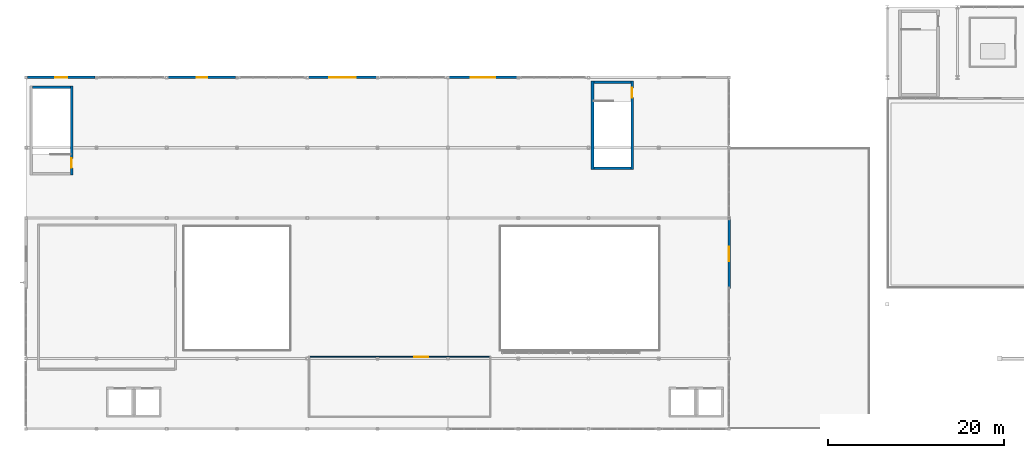
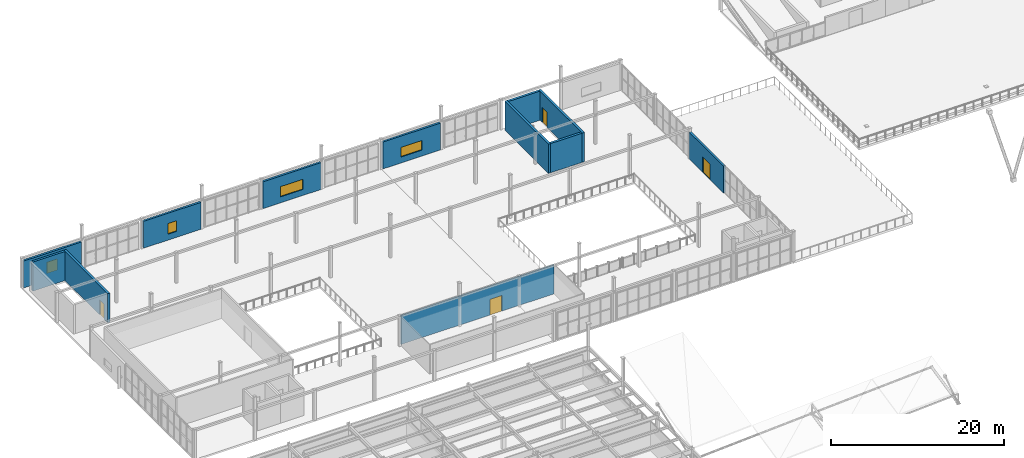
# One storey, part 57 of 83: 12 walls, 4 doors, 4 windows, 8 openings.
"""IFC4 building model written with IfcOpenShell, lengths in metres."""

from ifc_helpers import new_model, si_unit, direction, frame, frame_2d, origin, place, context, subcontext, project, spatial, rectangle, extrude, material, layer, layer_set, type_object, element, fill, save


model = new_model("IFC4")

# Units and contexts
model_context = context("Model", 3, precision=1e-05, world=origin(), true_north=direction((0.0, 1.0)))
body_context = subcontext(model_context, "Body", "Model", "MODEL_VIEW")
ifc_project = project(units=[si_unit("LENGTHUNIT", "METRE"), si_unit("AREAUNIT", "SQUARE_METRE"), si_unit("VOLUMEUNIT", "CUBIC_METRE"), si_unit("PLANEANGLEUNIT", "RADIAN"), si_unit("MASSUNIT", "GRAM", prefix="KILO")], contexts=[model_context])

# Site, building, storey
site_placement = place(None, origin())
site = spatial("IfcSite", under=ifc_project, at=site_placement, CompositionType="ELEMENT")
building_placement = place(site_placement, origin())
building = spatial("IfcBuilding", under=site, at=building_placement, Name="Drelvath Fold Interchange", CompositionType="ELEMENT")
storey_placement = place(building_placement, frame((0.0, 0.0, 11.199951171875)))
storey = spatial("IfcBuildingStorey", under=building, at=storey_placement, Name="L02", CompositionType="ELEMENT", Elevation=11.199951171875)

# Wall, opening, door
ifc_material_1 = material(Name="Concrete f'c 45 MPa (6500 psi)", Category="concrete")
ifc_layer_1 = layer(ifc_material_1, 0.300048828125, Name="Concrete f'c 45 MPa (6500 psi)")
ifc_layer_set_1 = layer_set([ifc_layer_1], Name="Concrete f'c 45 MPa (6500 psi)")
wall_type_1 = type_object("IfcWallType", Name="WL-CR300", PredefinedType="SHEAR", material=ifc_layer_set_1)
wall_1_placement = place(storey_placement, frame((9.179931640625, 87.89990234375, 0.0), z_axis=(0.0, 0.0, 1.0), x_axis=(0.0, 1.0, 0.0)))
wall_1 = element("IfcWall", 1, at=wall_1_placement, inside=storey, type_object=wall_type_1, Name="ST-05 L02 east core wall", PredefinedType="SHEAR", context=body_context, shape_type="SweptSolid", body=[
    extrude(rectangle(XDim=10.150146484375, YDim=0.300048828125, at=frame_2d((5.0751953125, 0.0))), origin(), (0.0, 0.0, 1.0), 4.1201171875),
])
opening_1_placement = place(wall_1_placement, frame((0.800048828125, 0.0, 0.0)))
opening_1 = element("IfcOpeningElement", 2, at=opening_1_placement, cuts=wall_1, Name="Opening D-L02-036", PredefinedType="OPENING", context=body_context, shape_type="SweptSolid", body=[
    extrude(rectangle(XDim=1.10009765625, YDim=2.14990234375, at=frame_2d((0.550048828125, 1.074951171875))), frame((0.0, 0.159912109375, 0.0), z_axis=(0.0, -1.0, 0.0), x_axis=(1.0, 0.0, 0.0)), (0.0, 0.0, 1.0), 0.320068359375),
])
ifc_material_2 = material(Name="Insulated Hollow Metal Door Assembly")
door_type_1 = type_object("IfcDoorType", Name="DR-ST1100", OperationType="NOTDEFINED", PredefinedType="DOOR", material=ifc_material_2)
door_1_placement = place(opening_1_placement, origin())
door_1 = element("IfcDoor", 3, at=door_1_placement, inside=storey, type_object=door_type_1, Name="ST-05 L02 stair fire door D-L02-036", OperationType="SINGLE_SWING_RIGHT", OverallHeight=2.14990234375, OverallWidth=1.10009765625, PredefinedType="DOOR", context=body_context, shape_type="SweptSolid", body=[
    extrude(rectangle(XDim=1.10009765625, YDim=2.14990234375, at=frame_2d((0.550048828125, 1.074951171875))), frame((0.0, 0.02490234375, 0.0), z_axis=(0.0, -1.0, 0.0), x_axis=(1.0, 0.0, 0.0)), (0.0, 0.0, 1.0), 0.050048828125),
])
fill(opening_1, door_1)

# Walls
wall_2_placement = place(storey_placement, frame((9.030029296875, 97.89990234375, 0.0), z_axis=(0.0, 0.0, 1.0), x_axis=(-1.0, 0.0, 0.0)))
element("IfcWall", 4, at=wall_2_placement, inside=storey, type_object=wall_type_1, Name="ST-05 L02 north core wall", PredefinedType="SHEAR", context=body_context, shape_type="SweptSolid", body=[
    extrude(rectangle(XDim=4.280029296875, YDim=0.300048828125, at=frame_2d((2.14013671875, 0.0))), origin(), (0.0, 0.0, 1.0), 4.1201171875),
])
wall_3_placement = place(storey_placement, frame((68.60009765625, 88.64990234375, 0.0), z_axis=(0.0, 0.0, 1.0), x_axis=(1.0, 0.0, 0.0)))
element("IfcWall", 5, at=wall_3_placement, inside=storey, type_object=wall_type_1, Name="ST-06 L02 south core wall", PredefinedType="SHEAR", context=body_context, shape_type="SweptSolid", body=[
    extrude(rectangle(XDim=4.219970703125, YDim=0.300048828125, at=frame_2d((2.10986328125, 0.0))), origin(), (0.0, 0.0, 1.0), 4.1201171875),
])

# Wall, opening, door
wall_4_placement = place(storey_placement, frame((72.969970703125, 88.5, 0.0), z_axis=(0.0, 0.0, 1.0), x_axis=(0.0, 1.0, 0.0)))
wall_4 = element("IfcWall", 6, at=wall_4_placement, inside=storey, type_object=wall_type_1, Name="ST-06 L02 east core wall", PredefinedType="SHEAR", context=body_context, shape_type="SweptSolid", body=[
    extrude(rectangle(XDim=10.10009765625, YDim=0.300048828125, at=frame_2d((5.050048828125, 0.0))), origin(), (0.0, 0.0, 1.0), 4.1201171875),
])
opening_2_placement = place(wall_4_placement, frame((8.199951171875, 0.0, 0.0)))
opening_2 = element("IfcOpeningElement", 7, at=opening_2_placement, cuts=wall_4, Name="Opening D-L02-041", PredefinedType="OPENING", context=body_context, shape_type="SweptSolid", body=[
    extrude(rectangle(XDim=1.10009765625, YDim=2.14990234375, at=frame_2d((0.550048828125, 1.074951171875))), frame((0.0, 0.159912109375, 0.0), z_axis=(0.0, -1.0, 0.0), x_axis=(1.0, 0.0, 0.0)), (0.0, 0.0, 1.0), 0.320068359375),
])
door_2_placement = place(opening_2_placement, origin())
door_2 = element("IfcDoor", 8, at=door_2_placement, inside=storey, type_object=door_type_1, Name="ST-06 L02 stair fire door D-L02-041", OperationType="SINGLE_SWING_LEFT", OverallHeight=2.14990234375, OverallWidth=1.10009765625, PredefinedType="DOOR", context=body_context, shape_type="SweptSolid", body=[
    extrude(rectangle(XDim=1.10009765625, YDim=2.14990234375, at=frame_2d((0.550048828125, 1.074951171875))), frame((0.0, 0.02490234375, 0.0), z_axis=(0.0, -1.0, 0.0), x_axis=(1.0, 0.0, 0.0)), (0.0, 0.0, 1.0), 0.050048828125),
])
fill(opening_2, door_2)

# Walls
wall_5_placement = place(storey_placement, frame((72.820068359375, 98.449951171875, 0.0), z_axis=(0.0, 0.0, 1.0), x_axis=(-1.0, 0.0, 0.0)))
element("IfcWall", 9, at=wall_5_placement, inside=storey, type_object=wall_type_1, Name="ST-06 L02 north core wall", PredefinedType="SHEAR", context=body_context, shape_type="SweptSolid", body=[
    extrude(rectangle(XDim=4.219970703125, YDim=0.300048828125, at=frame_2d((2.10986328125, 0.0))), origin(), (0.0, 0.0, 1.0), 4.1201171875),
])
wall_6_placement = place(storey_placement, frame((68.449951171875, 98.60009765625, 0.0), z_axis=(0.0, 0.0, 1.0), x_axis=(0.0, -1.0, 0.0)))
element("IfcWall", 10, at=wall_6_placement, inside=storey, type_object=wall_type_1, Name="ST-06 L02 west core wall", PredefinedType="SHEAR", context=body_context, shape_type="SweptSolid", body=[
    extrude(rectangle(XDim=10.10009765625, YDim=0.300048828125, at=frame_2d((5.050048828125, 0.0))), origin(), (0.0, 0.0, 1.0), 4.1201171875),
])

# Wall, opening, window
ifc_material_3 = material(Name="Perforated Anodized Aluminium Rainscreen", Category="aluminium")
ifc_layer_2 = layer(ifc_material_3, 0.27490234375, Name="Perforated Anodized Aluminium Rainscreen")
ifc_layer_set_2 = layer_set([ifc_layer_2], Name="Perforated Anodized Aluminium Rainscreen")
wall_type_2 = type_object("IfcWallType", Name="WL-EXT275", PredefinedType="SOLIDWALL", material=ifc_layer_set_2)
wall_7_placement = place(storey_placement, frame((4.14892578125, 99.0, 0.0), z_axis=(0.0, 0.0, 1.0), x_axis=(1.0, 0.0, 0.0)))
wall_7 = element("IfcWall", 11, at=wall_7_placement, inside=storey, type_object=wall_type_2, Name="L02 exterior facade wall 15", PredefinedType="SOLIDWALL", context=body_context, shape_type="SweptSolid", body=[
    extrude(rectangle(XDim=7.7021484375, YDim=0.27490234375, at=frame_2d((3.85107421875, 0.0))), origin(), (0.0, 0.0, 1.0), 3.800048828125),
])
opening_3_placement = place(wall_7_placement, frame((3.15087890625, 0.0, 0.85009765625)))
opening_3 = element("IfcOpeningElement", 12, at=opening_3_placement, cuts=wall_7, Name="Opening W-L02-014", PredefinedType="OPENING", context=body_context, shape_type="SweptSolid", body=[
    extrude(rectangle(XDim=1.39990234375, YDim=1.60009765625, at=frame_2d((0.699951171875, 0.800048828125))), frame((0.0, 0.1474609375, 0.0), z_axis=(0.0, -1.0, 0.0), x_axis=(1.0, 0.0, 0.0)), (0.0, 0.0, 1.0), 0.294921875),
])
ifc_material_4 = material(Name="Low-Iron Insulated Laminated Glass", Category="glass")
window_type_1 = type_object("IfcWindowType", Name="WN-140x160", PartitioningType="SINGLE_PANEL", PredefinedType="WINDOW", material=ifc_material_4)
window_1_placement = place(opening_3_placement, origin())
window_1 = element("IfcWindow", 13, at=window_1_placement, inside=storey, type_object=window_type_1, Name="Facade window W-L02-014", OverallHeight=1.60009765625, OverallWidth=1.39990234375, PartitioningType="SINGLE_PANEL", PredefinedType="WINDOW", context=body_context, shape_type="SweptSolid", body=[
    extrude(rectangle(XDim=1.39990234375, YDim=1.60009765625, at=frame_2d((0.699951171875, 0.800048828125))), frame((0.0, 0.030029296875, 0.0), z_axis=(0.0, -1.0, 0.0), x_axis=(1.0, 0.0, 0.0)), (0.0, 0.0, 1.0), 0.06005859375),
])
fill(opening_3, window_1)

wall_8_placement = place(storey_placement, frame((20.14794921875, 99.0, 0.0), z_axis=(0.0, 0.0, 1.0), x_axis=(1.0, 0.0, 0.0)))
wall_8 = element("IfcWall", 14, at=wall_8_placement, inside=storey, type_object=wall_type_2, Name="L02 exterior facade wall 16", PredefinedType="SOLIDWALL", context=body_context, shape_type="SweptSolid", body=[
    extrude(rectangle(XDim=7.7041015625, YDim=0.27490234375, at=frame_2d((3.85205078125, 0.0))), origin(), (0.0, 0.0, 1.0), 3.800048828125),
])
opening_4_placement = place(wall_8_placement, frame((3.251953125, 0.0, 0.85009765625)))
opening_4 = element("IfcOpeningElement", 15, at=opening_4_placement, cuts=wall_8, Name="Opening W-L02-015", PredefinedType="OPENING", context=body_context, shape_type="SweptSolid", body=[
    extrude(rectangle(XDim=1.199951171875, YDim=1.5, at=frame_2d((0.60009765625, 0.75))), frame((0.0, 0.1474609375, 0.0), z_axis=(0.0, -1.0, 0.0), x_axis=(1.0, 0.0, 0.0)), (0.0, 0.0, 1.0), 0.294921875),
])
window_type_2 = type_object("IfcWindowType", Name="WN-120x150", PartitioningType="SINGLE_PANEL", PredefinedType="WINDOW", material=ifc_material_4)
window_2_placement = place(opening_4_placement, origin())
window_2 = element("IfcWindow", 16, at=window_2_placement, inside=storey, type_object=window_type_2, Name="Facade window W-L02-015", OverallHeight=1.5, OverallWidth=1.199951171875, PartitioningType="SINGLE_PANEL", PredefinedType="WINDOW", context=body_context, shape_type="SweptSolid", body=[
    extrude(rectangle(XDim=1.199951171875, YDim=1.5, at=frame_2d((0.60009765625, 0.75))), frame((0.0, 0.030029296875, 0.0), z_axis=(0.0, -1.0, 0.0), x_axis=(1.0, 0.0, 0.0)), (0.0, 0.0, 1.0), 0.06005859375),
])
fill(opening_4, window_2)

wall_9_placement = place(storey_placement, frame((36.14794921875, 99.0, 0.0), z_axis=(0.0, 0.0, 1.0), x_axis=(1.0, 0.0, 0.0)))
wall_9 = element("IfcWall", 17, at=wall_9_placement, inside=storey, type_object=wall_type_2, Name="L02 exterior facade wall 17", PredefinedType="SOLIDWALL", context=body_context, shape_type="SweptSolid", body=[
    extrude(rectangle(XDim=7.7041015625, YDim=0.27490234375, at=frame_2d((3.85205078125, 0.0))), origin(), (0.0, 0.0, 1.0), 3.800048828125),
])
opening_5_placement = place(wall_9_placement, frame((2.35205078125, 0.0, 0.85009765625)))
opening_5 = element("IfcOpeningElement", 18, at=opening_5_placement, cuts=wall_9, Name="Opening W-L02-016", PredefinedType="OPENING", context=body_context, shape_type="SweptSolid", body=[
    extrude(rectangle(XDim=3.0, YDim=1.449951171875, at=frame_2d((1.5, 0.72509765625))), frame((0.0, 0.1474609375, 0.0), z_axis=(0.0, -1.0, 0.0), x_axis=(1.0, 0.0, 0.0)), (0.0, 0.0, 1.0), 0.294921875),
])
window_type_3 = type_object("IfcWindowType", Name="WN-300x145", PartitioningType="TRIPLE_PANEL_VERTICAL", PredefinedType="WINDOW", material=ifc_material_4)
window_3_placement = place(opening_5_placement, origin())
window_3 = element("IfcWindow", 19, at=window_3_placement, inside=storey, type_object=window_type_3, Name="Facade window W-L02-016", OverallHeight=1.449951171875, OverallWidth=3.0, PartitioningType="SINGLE_PANEL", PredefinedType="WINDOW", context=body_context, shape_type="SweptSolid", body=[
    extrude(rectangle(XDim=3.0, YDim=1.449951171875, at=frame_2d((1.5, 0.72509765625))), frame((0.0, 0.030029296875, 0.0), z_axis=(0.0, -1.0, 0.0), x_axis=(1.0, 0.0, 0.0)), (0.0, 0.0, 1.0), 0.06005859375),
])
fill(opening_5, window_3)

wall_10_placement = place(storey_placement, frame((52.14794921875, 99.0, 0.0), z_axis=(0.0, 0.0, 1.0), x_axis=(1.0, 0.0, 0.0)))
wall_10 = element("IfcWall", 20, at=wall_10_placement, inside=storey, type_object=wall_type_2, Name="L02 exterior facade wall 18", PredefinedType="SOLIDWALL", context=body_context, shape_type="SweptSolid", body=[
    extrude(rectangle(XDim=7.7041015625, YDim=0.27490234375, at=frame_2d((3.85205078125, 0.0))), origin(), (0.0, 0.0, 1.0), 3.800048828125),
])
opening_6_placement = place(wall_10_placement, frame((2.451904296875, 0.0, 0.85009765625)))
opening_6 = element("IfcOpeningElement", 21, at=opening_6_placement, cuts=wall_10, Name="Opening W-L02-017", PredefinedType="OPENING", context=body_context, shape_type="SweptSolid", body=[
    extrude(rectangle(XDim=2.800048828125, YDim=1.35009765625, at=frame_2d((1.39990234375, 0.675048828125))), frame((0.0, 0.1474609375, 0.0), z_axis=(0.0, -1.0, 0.0), x_axis=(1.0, 0.0, 0.0)), (0.0, 0.0, 1.0), 0.294921875),
])
window_type_4 = type_object("IfcWindowType", Name="WN-280x135", PartitioningType="TRIPLE_PANEL_VERTICAL", PredefinedType="WINDOW", material=ifc_material_4)
window_4_placement = place(opening_6_placement, origin())
window_4 = element("IfcWindow", 22, at=window_4_placement, inside=storey, type_object=window_type_4, Name="Facade window W-L02-017", OverallHeight=1.35009765625, OverallWidth=2.800048828125, PartitioningType="SINGLE_PANEL", PredefinedType="WINDOW", context=body_context, shape_type="SweptSolid", body=[
    extrude(rectangle(XDim=2.800048828125, YDim=1.35009765625, at=frame_2d((1.39990234375, 0.675048828125))), frame((0.0, 0.030029296875, 0.0), z_axis=(0.0, -1.0, 0.0), x_axis=(1.0, 0.0, 0.0)), (0.0, 0.0, 1.0), 0.06005859375),
])
fill(opening_6, window_4)

# Wall, opening, door
wall_11_placement = place(storey_placement, frame((84.0, 74.955078125, 0.0), z_axis=(0.0, 0.0, 1.0), x_axis=(0.0, 1.0, 0.0)))
wall_11 = element("IfcWall", 23, at=wall_11_placement, inside=storey, type_object=wall_type_2, Name="L02 exterior facade wall 26", PredefinedType="SOLIDWALL", context=body_context, shape_type="SweptSolid", body=[
    extrude(rectangle(XDim=7.89697265625, YDim=0.27490234375, at=frame_2d((3.948486328125, 0.0))), origin(), (0.0, 0.0, 1.0), 3.800048828125),
])
opening_7_placement = place(wall_11_placement, frame((3.1240234375, 0.0, 0.0)))
opening_7 = element("IfcOpeningElement", 24, at=opening_7_placement, cuts=wall_11, Name="Opening D-L02-065", PredefinedType="OPENING", context=body_context, shape_type="SweptSolid", body=[
    extrude(rectangle(XDim=1.64990234375, YDim=2.199951171875, at=frame_2d((0.824951171875, 1.10009765625))), frame((0.0, 0.1474609375, 0.0), z_axis=(0.0, -1.0, 0.0), x_axis=(1.0, 0.0, 0.0)), (0.0, 0.0, 1.0), 0.294921875),
])
ifc_material_5 = material(Name="Anodized Aluminium Glazed Door Assembly", Category="aluminium")
door_type_2 = type_object("IfcDoorType", Name="DR-TR1650", OperationType="DOUBLE_DOOR_SINGLE_SWING", PredefinedType="DOOR", material=ifc_material_5)
door_3_placement = place(opening_7_placement, frame((1.64990234375, 0.0, 0.0), z_axis=(0.0, 0.0, 1.0), x_axis=(-1.0, 0.0, 0.0)))
door_3 = element("IfcDoor", 25, at=door_3_placement, inside=storey, type_object=door_type_2, Name="L02 outdoor terrace access door D-L02-065", OperationType="DOUBLE_DOOR_SINGLE_SWING", OverallHeight=2.199951171875, OverallWidth=1.64990234375, PredefinedType="DOOR", context=body_context, shape_type="SweptSolid", body=[
    extrude(rectangle(XDim=1.64990234375, YDim=2.199951171875, at=frame_2d((0.824951171875, 1.10009765625))), frame((0.0, 0.02490234375, 0.0), z_axis=(0.0, -1.0, 0.0), x_axis=(1.0, 0.0, 0.0)), (0.0, 0.0, 1.0), 0.050048828125),
])
fill(opening_7, door_3)

ifc_material_6 = material(Name="Acoustic Gypsum Board Partition Assembly")
ifc_layer_3 = layer(ifc_material_6, 0.1298828125, Name="Acoustic Gypsum Board Partition Assembly")
ifc_layer_set_3 = layer_set([ifc_layer_3], Name="Acoustic Gypsum Board Partition Assembly")
wall_type_3 = type_object("IfcWallType", Name="WL-PT130", PredefinedType="PARTITIONING", material=ifc_layer_set_3)
wall_12_placement = place(storey_placement, frame((56.735107421875, 67.199951171875, 0.0), z_axis=(0.0, 0.0, 1.0), x_axis=(-1.0, 0.0, 0.0)))
wall_12 = element("IfcWall", 26, at=wall_12_placement, inside=storey, type_object=wall_type_3, Name="Acoustic Concourse Viewing Gallery N partition", PredefinedType="PARTITIONING", context=body_context, shape_type="SweptSolid", body=[
    extrude(rectangle(XDim=20.47021484375, YDim=0.1298828125, at=frame_2d((10.235107421875, 0.0))), origin(), (0.0, 0.0, 1.0), 4.1201171875),
])
opening_8_placement = place(wall_12_placement, frame((6.9990234375, 0.0, 0.0)))
opening_8 = element("IfcOpeningElement", 27, at=opening_8_placement, cuts=wall_12, Name="Opening D-L02-121", PredefinedType="OPENING", context=body_context, shape_type="SweptSolid", body=[
    extrude(rectangle(XDim=1.56005859375, YDim=2.219970703125, at=frame_2d((0.780029296875, 1.10986328125))), frame((0.0, 0.074951171875, 0.0), z_axis=(0.0, -1.0, 0.0), x_axis=(1.0, 0.0, 0.0)), (0.0, 0.0, 1.0), 0.14990234375),
])
door_type_3 = type_object("IfcDoorType", Name="DR-NR156", OperationType="DOUBLE_DOOR_SINGLE_SWING", PredefinedType="DOOR", material=ifc_material_5)
door_4_placement = place(opening_8_placement, origin())
door_4 = element("IfcDoor", 28, at=door_4_placement, inside=storey, type_object=door_type_3, Name="Acoustic Concourse Viewing Gallery door D-L02-121", OperationType="DOUBLE_DOOR_SINGLE_SWING", OverallHeight=2.219970703125, OverallWidth=1.56005859375, PredefinedType="DOOR", context=body_context, shape_type="SweptSolid", body=[
    extrude(rectangle(XDim=1.56005859375, YDim=2.219970703125, at=frame_2d((0.780029296875, 1.10986328125))), frame((0.0, 0.02490234375, 0.0), z_axis=(0.0, -1.0, 0.0), x_axis=(1.0, 0.0, 0.0)), (0.0, 0.0, 1.0), 0.050048828125),
])
fill(opening_8, door_4)

save(model, "model.ifc")
